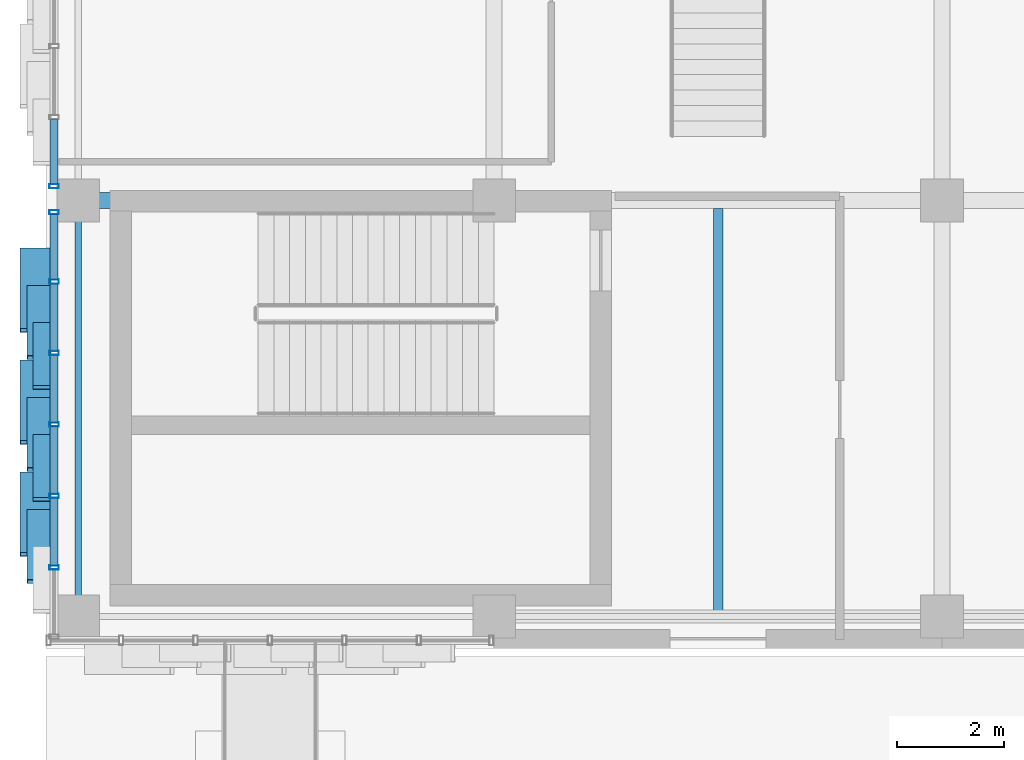
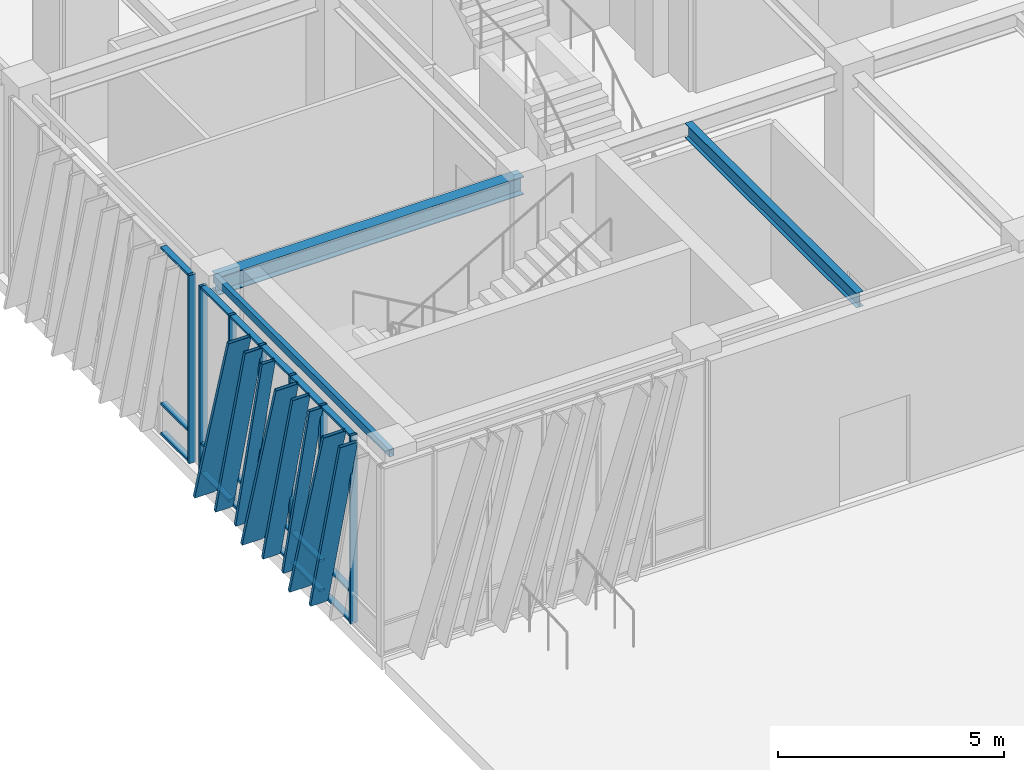
# One storey, part 31 of 122: 33 members, 3 beams, 2 elements without a shape of their own.
"""IFC4 building model written with IfcOpenShell, lengths in metres."""

from ifc_helpers import new_model, si_unit, direction, frame, origin, origin_2d, place, context, subcontext, project, spatial, hollow_rectangle, i_section, extrude, material, layer, layer_set, material_profile, profile_set, type_object, element, aggregate, save


model = new_model("IFC4")

# Units and contexts
model_context = context("Model", 3, precision=1e-05, world=origin(), true_north=direction((0.0, 1.0)))
body_context = subcontext(model_context, "Body", "Model", "MODEL_VIEW")
ifc_project = project(units=[si_unit("LENGTHUNIT", "METRE"), si_unit("AREAUNIT", "SQUARE_METRE"), si_unit("VOLUMEUNIT", "CUBIC_METRE"), si_unit("PLANEANGLEUNIT", "RADIAN"), si_unit("MASSUNIT", "GRAM", prefix="KILO")], contexts=[model_context])

# Site, building, storey
site_placement = place(None, origin())
site = spatial("IfcSite", under=ifc_project, at=site_placement, CompositionType="ELEMENT")
building_placement = place(site_placement, origin())
building = spatial("IfcBuilding", under=site, at=building_placement, Name="Zayran Congress Hotel", CompositionType="ELEMENT")
storey_placement = place(building_placement, origin())
storey = spatial("IfcBuildingStorey", under=building, at=storey_placement, Name="L00", CompositionType="ELEMENT", Elevation=0.0)

# Beams
ifc_material_1 = material(Name="Steel S355", Category="steel")
ifc_material_profile_1 = material_profile(ifc_material_1, i_section(OverallWidth=0.300048828125, OverallDepth=0.489990234375, WebThickness=0.011962890625, FlangeThickness=0.02294921875, at=origin_2d()), Name="HEA 500")
ifc_profile_set_1 = profile_set([ifc_material_profile_1], Name="Steel S355")
beam_type_1 = type_object("IfcBeamType", Name="TP-BM-05", PredefinedType="BEAM", material=ifc_profile_set_1)
beam_1_placement = place(storey_placement, frame((9.0, 76.0, 4.8349609375), z_axis=(1.0, 0.0, 0.0), x_axis=(0.0, 1.0, 0.0)))
element("IfcBeam", 1, at=beam_1_placement, inside=storey, type_object=beam_type_1, Name="BM-V1-L00-0399", PredefinedType="BEAM", context=body_context, shape_type="SweptSolid", body=[
    extrude(i_section(OverallWidth=0.300048828125, OverallDepth=0.489990234375, WebThickness=0.011962890625, FlangeThickness=0.02294921875, at=origin_2d()), origin(), (0.0, 0.0, 1.0), 7.800048828125),
])
ifc_material_profile_2 = material_profile(ifc_material_1, i_section(OverallWidth=0.179931640625, OverallDepth=0.39990234375, WebThickness=0.008544921875, FlangeThickness=0.013427734375, at=origin_2d()), Name="IPE 400")
ifc_profile_set_2 = profile_set([ifc_material_profile_2], Name="Steel S355")
beam_type_2 = type_object("IfcBeamType", Name="TP-JS-03", PredefinedType="JOIST", material=ifc_profile_set_2)
beam_2_placement = place(storey_placement, frame((21.0, 68.260009765625, 4.8798828125), z_axis=(0.0, 1.0, 0.0), x_axis=(-1.0, 0.0, 0.0)))
element("IfcBeam", 2, at=beam_2_placement, inside=storey, type_object=beam_type_2, Name="JST-V1-L00-0493", PredefinedType="JOIST", context=body_context, shape_type="SweptSolid", body=[
    extrude(i_section(OverallWidth=0.179931640625, OverallDepth=0.39990234375, WebThickness=0.008544921875, FlangeThickness=0.013427734375, at=origin_2d()), origin(), (0.0, 0.0, 1.0), 7.590087890625),
])
ifc_material_profile_3 = material_profile(ifc_material_1, hollow_rectangle(XDim=0.1201171875, YDim=0.199951171875, WallThickness=0.008056640625, at=origin_2d()), Name="RHS 200x120x8")
ifc_profile_set_3 = profile_set([ifc_material_profile_3], Name="Steel S355")
beam_type_3 = type_object("IfcBeamType", Name="TP-SP-02", PredefinedType="SPANDREL", material=ifc_profile_set_3)
beam_3_placement = place(storey_placement, frame((9.0, 68.199951171875, 4.97998046875), z_axis=(0.0, 1.0, 0.0), x_axis=(-1.0, 0.0, 0.0)))
element("IfcBeam", 3, at=beam_3_placement, inside=storey, type_object=beam_type_3, Name="BM-V1-L00-0445", PredefinedType="SPANDREL", context=body_context, shape_type="SweptSolid", body=[
    extrude(hollow_rectangle(XDim=0.1201171875, YDim=0.199951171875, WallThickness=0.008056640625, at=origin_2d()), origin(), (0.0, 0.0, 1.0), 7.800048828125),
])

# Curtain wall, members
ifc_material_2 = material(Name="Anodised aluminium and low-E insulated glass", Category="aluminium")
ifc_layer_1 = layer(ifc_material_2, 0.179931640625)
ifc_layer_set_1 = layer_set([ifc_layer_1], Name="Anodised aluminium and low-E insulated glass")
curtain_wall_type_1 = type_object("IfcCurtainWallType", Name="CW-V1W-L00-CW-31-8040-5080", PredefinedType="USERDEFINED", material=ifc_layer_set_1)
curtain_wall_1_placement = place(storey_placement, origin())
curtain_wall_1 = element("IfcCurtainWall", 4, at=curtain_wall_1_placement, inside=storey, type_object=curtain_wall_type_1, Name="CW-V1W-L00-0", ObjectType="CURTAIN WALL", PredefinedType="USERDEFINED")
ifc_material_3 = material(Name="Anodised aluminium framing", Category="aluminium")
ifc_material_profile_4 = material_profile(ifc_material_3, hollow_rectangle(XDim=0.080078125, YDim=0.179931640625, WallThickness=0.0048828125, at=origin_2d()), Name="RHS 180x80x5")
ifc_profile_set_4 = profile_set([ifc_material_profile_4], Name="Anodised aluminium framing")
member_type_1 = type_object("IfcMemberType", Name="TP-CWM-01", PredefinedType="MULLION", material=ifc_profile_set_4)
member_1_placement = place(storey_placement, frame((8.550048828125, 75.780029296875, 0.0), z_axis=(0.0, 0.0, 1.0), x_axis=(0.0, 1.0, 0.0)))
member_1 = element("IfcMember", 5, at=member_1_placement, type_object=member_type_1, Name="CW-V1W-L00-0-M00", PredefinedType="MULLION", context=body_context, shape_type="SweptSolid", body=[
    extrude(hollow_rectangle(XDim=0.080078125, YDim=0.179931640625, WallThickness=0.0048828125, at=origin_2d()), origin(), (0.0, 0.0, 1.0), 5.080078125),
])
member_2_placement = place(storey_placement, frame((8.550048828125, 74.47998046875, 0.0), z_axis=(0.0, 0.0, 1.0), x_axis=(0.0, 1.0, 0.0)))
member_2 = element("IfcMember", 6, at=member_2_placement, type_object=member_type_1, Name="CW-V1W-L00-0-M01", PredefinedType="MULLION", context=body_context, shape_type="SweptSolid", body=[
    extrude(hollow_rectangle(XDim=0.080078125, YDim=0.179931640625, WallThickness=0.0048828125, at=origin_2d()), origin(), (0.0, 0.0, 1.0), 5.080078125),
])
member_3_placement = place(storey_placement, frame((8.550048828125, 73.139892578125, 0.0), z_axis=(0.0, 0.0, 1.0), x_axis=(0.0, 1.0, 0.0)))
member_3 = element("IfcMember", 7, at=member_3_placement, type_object=member_type_1, Name="CW-V1W-L00-0-M02", PredefinedType="MULLION", context=body_context, shape_type="SweptSolid", body=[
    extrude(hollow_rectangle(XDim=0.080078125, YDim=0.179931640625, WallThickness=0.0048828125, at=origin_2d()), origin(), (0.0, 0.0, 1.0), 5.080078125),
])
member_4_placement = place(storey_placement, frame((8.550048828125, 71.800048828125, 0.0), z_axis=(0.0, 0.0, 1.0), x_axis=(0.0, 1.0, 0.0)))
member_4 = element("IfcMember", 8, at=member_4_placement, type_object=member_type_1, Name="CW-V1W-L00-0-M03", PredefinedType="MULLION", context=body_context, shape_type="SweptSolid", body=[
    extrude(hollow_rectangle(XDim=0.080078125, YDim=0.179931640625, WallThickness=0.0048828125, at=origin_2d()), origin(), (0.0, 0.0, 1.0), 5.080078125),
])
member_5_placement = place(storey_placement, frame((8.550048828125, 70.4599609375, 0.0), z_axis=(0.0, 0.0, 1.0), x_axis=(0.0, 1.0, 0.0)))
member_5 = element("IfcMember", 9, at=member_5_placement, type_object=member_type_1, Name="CW-V1W-L00-0-M04", PredefinedType="MULLION", context=body_context, shape_type="SweptSolid", body=[
    extrude(hollow_rectangle(XDim=0.080078125, YDim=0.179931640625, WallThickness=0.0048828125, at=origin_2d()), origin(), (0.0, 0.0, 1.0), 5.080078125),
])
member_6_placement = place(storey_placement, frame((8.550048828125, 69.1201171875, 0.0), z_axis=(0.0, 0.0, 1.0), x_axis=(0.0, 1.0, 0.0)))
member_6 = element("IfcMember", 10, at=member_6_placement, type_object=member_type_1, Name="CW-V1W-L00-0-M05", PredefinedType="MULLION", context=body_context, shape_type="SweptSolid", body=[
    extrude(hollow_rectangle(XDim=0.080078125, YDim=0.179931640625, WallThickness=0.0048828125, at=origin_2d()), origin(), (0.0, 0.0, 1.0), 5.080078125),
])

# Curtain wall, member
ifc_layer_2 = layer(ifc_material_2, 0.179931640625)
ifc_layer_set_2 = layer_set([ifc_layer_2], Name="Anodised aluminium and low-E insulated glass")
curtain_wall_type_2 = type_object("IfcCurtainWallType", Name="CW-V1W-L00-CW-32-7990-5080", PredefinedType="USERDEFINED", material=ifc_layer_set_2)
curtain_wall_2_placement = place(storey_placement, origin())
curtain_wall_2 = element("IfcCurtainWall", 11, at=curtain_wall_2_placement, inside=storey, type_object=curtain_wall_type_2, Name="CW-V1W-L00-1", ObjectType="CURTAIN WALL", PredefinedType="USERDEFINED")
member_7_placement = place(storey_placement, frame((8.550048828125, 76.27001953125, 0.0), z_axis=(0.0, 0.0, 1.0), x_axis=(0.0, 1.0, 0.0)))
member_7 = element("IfcMember", 12, at=member_7_placement, type_object=member_type_1, Name="CW-V1W-L00-1-M06", PredefinedType="MULLION", context=body_context, shape_type="SweptSolid", body=[
    extrude(hollow_rectangle(XDim=0.080078125, YDim=0.179931640625, WallThickness=0.0048828125, at=origin_2d()), origin(), (0.0, 0.0, 1.0), 5.080078125),
])

# Member
ifc_material_profile_5 = material_profile(ifc_material_3, hollow_rectangle(XDim=0.06005859375, YDim=0.14990234375, WallThickness=0.00390625, at=origin_2d()), Name="RHS 150x60x4")
ifc_profile_set_5 = profile_set([ifc_material_profile_5], Name="Anodised aluminium framing")
member_type_2 = type_object("IfcMemberType", Name="TP-CWT-01", PredefinedType="USERDEFINED", material=ifc_profile_set_5)
member_8_placement = place(storey_placement, frame((8.550048828125, 75.739990234375, 0.030029296875), z_axis=(0.0, -1.0, 0.0), x_axis=(0.0, 0.0, 1.0)))
member_8 = element("IfcMember", 13, at=member_8_placement, type_object=member_type_2, Name="CW-V1W-L00-0-T00-0", ObjectType="TRANSOM", PredefinedType="USERDEFINED", context=body_context, shape_type="SweptSolid", body=[
    extrude(hollow_rectangle(XDim=0.06005859375, YDim=0.14990234375, WallThickness=0.00390625, at=origin_2d()), origin(), (0.0, 0.0, 1.0), 1.219970703125),
])

member_9_placement = place(storey_placement, frame((8.550048828125, 75.739990234375, 0.840087890625), z_axis=(0.0, -1.0, 0.0), x_axis=(0.0, 0.0, 1.0)))
member_9 = element("IfcMember", 14, at=member_9_placement, type_object=member_type_2, Name="CW-V1W-L00-0-T00-1", ObjectType="TRANSOM", PredefinedType="USERDEFINED", context=body_context, shape_type="SweptSolid", body=[
    extrude(hollow_rectangle(XDim=0.06005859375, YDim=0.14990234375, WallThickness=0.00390625, at=origin_2d()), origin(), (0.0, 0.0, 1.0), 1.219970703125),
])

member_10_placement = place(storey_placement, frame((8.550048828125, 75.739990234375, 5.050048828125), z_axis=(0.0, -1.0, 0.0), x_axis=(0.0, 0.0, 1.0)))
member_10 = element("IfcMember", 15, at=member_10_placement, type_object=member_type_2, Name="CW-V1W-L00-0-T00-2", ObjectType="TRANSOM", PredefinedType="USERDEFINED", context=body_context, shape_type="SweptSolid", body=[
    extrude(hollow_rectangle(XDim=0.06005859375, YDim=0.14990234375, WallThickness=0.00390625, at=origin_2d()), origin(), (0.0, 0.0, 1.0), 1.219970703125),
])

member_11_placement = place(storey_placement, frame((8.550048828125, 74.43994140625, 0.030029296875), z_axis=(0.0, -1.0, 0.0), x_axis=(0.0, 0.0, 1.0)))
member_11 = element("IfcMember", 16, at=member_11_placement, type_object=member_type_2, Name="CW-V1W-L00-0-T01-0", ObjectType="TRANSOM", PredefinedType="USERDEFINED", context=body_context, shape_type="SweptSolid", body=[
    extrude(hollow_rectangle(XDim=0.06005859375, YDim=0.14990234375, WallThickness=0.00390625, at=origin_2d()), origin(), (0.0, 0.0, 1.0), 1.260009765625),
])

member_12_placement = place(storey_placement, frame((8.550048828125, 74.43994140625, 0.840087890625), z_axis=(0.0, -1.0, 0.0), x_axis=(0.0, 0.0, 1.0)))
member_12 = element("IfcMember", 17, at=member_12_placement, type_object=member_type_2, Name="CW-V1W-L00-0-T01-1", ObjectType="TRANSOM", PredefinedType="USERDEFINED", context=body_context, shape_type="SweptSolid", body=[
    extrude(hollow_rectangle(XDim=0.06005859375, YDim=0.14990234375, WallThickness=0.00390625, at=origin_2d()), origin(), (0.0, 0.0, 1.0), 1.260009765625),
])

member_13_placement = place(storey_placement, frame((8.550048828125, 74.43994140625, 5.050048828125), z_axis=(0.0, -1.0, 0.0), x_axis=(0.0, 0.0, 1.0)))
member_13 = element("IfcMember", 18, at=member_13_placement, type_object=member_type_2, Name="CW-V1W-L00-0-T01-2", ObjectType="TRANSOM", PredefinedType="USERDEFINED", context=body_context, shape_type="SweptSolid", body=[
    extrude(hollow_rectangle(XDim=0.06005859375, YDim=0.14990234375, WallThickness=0.00390625, at=origin_2d()), origin(), (0.0, 0.0, 1.0), 1.260009765625),
])

member_14_placement = place(storey_placement, frame((8.550048828125, 73.10009765625, 0.030029296875), z_axis=(0.0, -1.0, 0.0), x_axis=(0.0, 0.0, 1.0)))
member_14 = element("IfcMember", 19, at=member_14_placement, type_object=member_type_2, Name="CW-V1W-L00-0-T02-0", ObjectType="TRANSOM", PredefinedType="USERDEFINED", context=body_context, shape_type="SweptSolid", body=[
    extrude(hollow_rectangle(XDim=0.06005859375, YDim=0.14990234375, WallThickness=0.00390625, at=origin_2d()), origin(), (0.0, 0.0, 1.0), 1.260009765625),
])

member_15_placement = place(storey_placement, frame((8.550048828125, 73.10009765625, 0.840087890625), z_axis=(0.0, -1.0, 0.0), x_axis=(0.0, 0.0, 1.0)))
member_15 = element("IfcMember", 20, at=member_15_placement, type_object=member_type_2, Name="CW-V1W-L00-0-T02-1", ObjectType="TRANSOM", PredefinedType="USERDEFINED", context=body_context, shape_type="SweptSolid", body=[
    extrude(hollow_rectangle(XDim=0.06005859375, YDim=0.14990234375, WallThickness=0.00390625, at=origin_2d()), origin(), (0.0, 0.0, 1.0), 1.260009765625),
])

member_16_placement = place(storey_placement, frame((8.550048828125, 73.10009765625, 5.050048828125), z_axis=(0.0, -1.0, 0.0), x_axis=(0.0, 0.0, 1.0)))
member_16 = element("IfcMember", 21, at=member_16_placement, type_object=member_type_2, Name="CW-V1W-L00-0-T02-2", ObjectType="TRANSOM", PredefinedType="USERDEFINED", context=body_context, shape_type="SweptSolid", body=[
    extrude(hollow_rectangle(XDim=0.06005859375, YDim=0.14990234375, WallThickness=0.00390625, at=origin_2d()), origin(), (0.0, 0.0, 1.0), 1.260009765625),
])

member_17_placement = place(storey_placement, frame((8.550048828125, 71.760009765625, 0.030029296875), z_axis=(0.0, -1.0, 0.0), x_axis=(0.0, 0.0, 1.0)))
member_17 = element("IfcMember", 22, at=member_17_placement, type_object=member_type_2, Name="CW-V1W-L00-0-T03-0", ObjectType="TRANSOM", PredefinedType="USERDEFINED", context=body_context, shape_type="SweptSolid", body=[
    extrude(hollow_rectangle(XDim=0.06005859375, YDim=0.14990234375, WallThickness=0.00390625, at=origin_2d()), origin(), (0.0, 0.0, 1.0), 1.260009765625),
])

member_18_placement = place(storey_placement, frame((8.550048828125, 71.760009765625, 0.840087890625), z_axis=(0.0, -1.0, 0.0), x_axis=(0.0, 0.0, 1.0)))
member_18 = element("IfcMember", 23, at=member_18_placement, type_object=member_type_2, Name="CW-V1W-L00-0-T03-1", ObjectType="TRANSOM", PredefinedType="USERDEFINED", context=body_context, shape_type="SweptSolid", body=[
    extrude(hollow_rectangle(XDim=0.06005859375, YDim=0.14990234375, WallThickness=0.00390625, at=origin_2d()), origin(), (0.0, 0.0, 1.0), 1.260009765625),
])

member_19_placement = place(storey_placement, frame((8.550048828125, 71.760009765625, 5.050048828125), z_axis=(0.0, -1.0, 0.0), x_axis=(0.0, 0.0, 1.0)))
member_19 = element("IfcMember", 24, at=member_19_placement, type_object=member_type_2, Name="CW-V1W-L00-0-T03-2", ObjectType="TRANSOM", PredefinedType="USERDEFINED", context=body_context, shape_type="SweptSolid", body=[
    extrude(hollow_rectangle(XDim=0.06005859375, YDim=0.14990234375, WallThickness=0.00390625, at=origin_2d()), origin(), (0.0, 0.0, 1.0), 1.260009765625),
])

member_20_placement = place(storey_placement, frame((8.550048828125, 70.419921875, 0.030029296875), z_axis=(0.0, -1.0, 0.0), x_axis=(0.0, 0.0, 1.0)))
member_20 = element("IfcMember", 25, at=member_20_placement, type_object=member_type_2, Name="CW-V1W-L00-0-T04-0", ObjectType="TRANSOM", PredefinedType="USERDEFINED", context=body_context, shape_type="SweptSolid", body=[
    extrude(hollow_rectangle(XDim=0.06005859375, YDim=0.14990234375, WallThickness=0.00390625, at=origin_2d()), origin(), (0.0, 0.0, 1.0), 1.260009765625),
])

member_21_placement = place(storey_placement, frame((8.550048828125, 70.419921875, 0.840087890625), z_axis=(0.0, -1.0, 0.0), x_axis=(0.0, 0.0, 1.0)))
member_21 = element("IfcMember", 26, at=member_21_placement, type_object=member_type_2, Name="CW-V1W-L00-0-T04-1", ObjectType="TRANSOM", PredefinedType="USERDEFINED", context=body_context, shape_type="SweptSolid", body=[
    extrude(hollow_rectangle(XDim=0.06005859375, YDim=0.14990234375, WallThickness=0.00390625, at=origin_2d()), origin(), (0.0, 0.0, 1.0), 1.260009765625),
])

member_22_placement = place(storey_placement, frame((8.550048828125, 70.419921875, 5.050048828125), z_axis=(0.0, -1.0, 0.0), x_axis=(0.0, 0.0, 1.0)))
member_22 = element("IfcMember", 27, at=member_22_placement, type_object=member_type_2, Name="CW-V1W-L00-0-T04-2", ObjectType="TRANSOM", PredefinedType="USERDEFINED", context=body_context, shape_type="SweptSolid", body=[
    extrude(hollow_rectangle(XDim=0.06005859375, YDim=0.14990234375, WallThickness=0.00390625, at=origin_2d()), origin(), (0.0, 0.0, 1.0), 1.260009765625),
])

member_23_placement = place(storey_placement, frame((8.550048828125, 77.521728515625, 0.030029296875), z_axis=(0.0, -1.0, 0.0), x_axis=(0.0, 0.0, 1.0)))
member_23 = element("IfcMember", 28, at=member_23_placement, type_object=member_type_2, Name="CW-V1W-L00-1-T05-0", ObjectType="TRANSOM", PredefinedType="USERDEFINED", context=body_context, shape_type="SweptSolid", body=[
    extrude(hollow_rectangle(XDim=0.06005859375, YDim=0.14990234375, WallThickness=0.00390625, at=origin_2d()), origin(), (0.0, 0.0, 1.0), 1.211669921875),
])

member_24_placement = place(storey_placement, frame((8.550048828125, 77.521728515625, 0.840087890625), z_axis=(0.0, -1.0, 0.0), x_axis=(0.0, 0.0, 1.0)))
member_24 = element("IfcMember", 29, at=member_24_placement, type_object=member_type_2, Name="CW-V1W-L00-1-T05-1", ObjectType="TRANSOM", PredefinedType="USERDEFINED", context=body_context, shape_type="SweptSolid", body=[
    extrude(hollow_rectangle(XDim=0.06005859375, YDim=0.14990234375, WallThickness=0.00390625, at=origin_2d()), origin(), (0.0, 0.0, 1.0), 1.211669921875),
])

member_25_placement = place(storey_placement, frame((8.550048828125, 77.521728515625, 5.050048828125), z_axis=(0.0, -1.0, 0.0), x_axis=(0.0, 0.0, 1.0)))
member_25 = element("IfcMember", 30, at=member_25_placement, type_object=member_type_2, Name="CW-V1W-L00-1-T05-2", ObjectType="TRANSOM", PredefinedType="USERDEFINED", context=body_context, shape_type="SweptSolid", body=[
    extrude(hollow_rectangle(XDim=0.06005859375, YDim=0.14990234375, WallThickness=0.00390625, at=origin_2d()), origin(), (0.0, 0.0, 1.0), 1.211669921875),
])

aggregate(curtain_wall_2, [member_7, member_23, member_24, member_25])

ifc_material_4 = material(Name="Warm bronze anodised aluminium", Category="aluminium")
ifc_material_profile_6 = material_profile(ifc_material_4, hollow_rectangle(XDim=0.080078125, YDim=0.580078125, WallThickness=0.006103515625, at=origin_2d()), Name="RHS 580x80x6")
ifc_profile_set_6 = profile_set([ifc_material_profile_6], Name="Warm bronze anodised aluminium")
member_type_3 = type_object("IfcMemberType", Name="TP-RFN-01", PredefinedType="MULLION", material=ifc_profile_set_6)
member_26_placement = place(storey_placement, frame((8.199951171875, 75.070068359375, 0.0), z_axis=(0.0, -0.284031848834, 0.958814845968), x_axis=(0.0, 0.958814845968, 0.284031848834)))
member_26 = element("IfcMember", 31, at=member_26_placement, type_object=member_type_3, Name="Slanting Reed Mullion CW-31-01", PredefinedType="MULLION", context=body_context, shape_type="SweptSolid", body=[
    extrude(hollow_rectangle(XDim=0.080078125, YDim=0.580078125, WallThickness=0.006103515625, at=origin_2d()), origin(), (0.0, 0.0, 1.0), 5.29833984375),
])

member_27_placement = place(storey_placement, frame((8.199951171875, 72.969970703125, 0.0), z_axis=(0.0, -0.284031848834, 0.958814845968), x_axis=(0.0, 0.958814845968, 0.284031848834)))
member_27 = element("IfcMember", 32, at=member_27_placement, type_object=member_type_3, Name="Slanting Reed Mullion CW-31-04", PredefinedType="MULLION", context=body_context, shape_type="SweptSolid", body=[
    extrude(hollow_rectangle(XDim=0.080078125, YDim=0.580078125, WallThickness=0.006103515625, at=origin_2d()), origin(), (0.0, 0.0, 1.0), 5.29833984375),
])

member_28_placement = place(storey_placement, frame((8.199951171875, 70.8701171875, 0.0), z_axis=(0.0, -0.284031848834, 0.958814845968), x_axis=(0.0, 0.958814845968, 0.284031848834)))
member_28 = element("IfcMember", 33, at=member_28_placement, type_object=member_type_3, Name="Slanting Reed Mullion CW-31-07", PredefinedType="MULLION", context=body_context, shape_type="SweptSolid", body=[
    extrude(hollow_rectangle(XDim=0.080078125, YDim=0.580078125, WallThickness=0.006103515625, at=origin_2d()), origin(), (0.0, 0.0, 1.0), 5.29833984375),
])

ifc_material_profile_7 = material_profile(ifc_material_4, hollow_rectangle(XDim=0.080078125, YDim=0.449951171875, WallThickness=0.006103515625, at=origin_2d()), Name="RHS 450x80x6")
ifc_profile_set_7 = profile_set([ifc_material_profile_7], Name="Warm bronze anodised aluminium")
member_type_4 = type_object("IfcMemberType", Name="TP-RFN-02", PredefinedType="MULLION", material=ifc_profile_set_7)
member_29_placement = place(storey_placement, frame((8.264892578125, 74.3701171875, 0.0), z_axis=(0.0, -0.25040989041, 0.968139910749), x_axis=(0.0, 0.968139910749, 0.25040989041)))
member_29 = element("IfcMember", 34, at=member_29_placement, type_object=member_type_4, Name="Slanting Reed Mullion CW-31-02", PredefinedType="MULLION", context=body_context, shape_type="SweptSolid", body=[
    extrude(hollow_rectangle(XDim=0.080078125, YDim=0.449951171875, WallThickness=0.006103515625, at=origin_2d()), origin(), (0.0, 0.0, 1.0), 5.247314453125),
])

member_30_placement = place(storey_placement, frame((8.264892578125, 72.27001953125, 0.0), z_axis=(0.0, -0.250366279854, 0.968151189594), x_axis=(0.0, 0.968151189594, 0.250366279854)))
member_30 = element("IfcMember", 35, at=member_30_placement, type_object=member_type_4, Name="Slanting Reed Mullion CW-31-05", PredefinedType="MULLION", context=body_context, shape_type="SweptSolid", body=[
    extrude(hollow_rectangle(XDim=0.080078125, YDim=0.449951171875, WallThickness=0.006103515625, at=origin_2d()), origin(), (0.0, 0.0, 1.0), 5.247314453125),
])

member_31_placement = place(storey_placement, frame((8.264892578125, 70.169921875, 0.0), z_axis=(0.0, -0.250366279854, 0.968151189594), x_axis=(0.0, 0.968151189594, 0.250366279854)))
member_31 = element("IfcMember", 36, at=member_31_placement, type_object=member_type_4, Name="Slanting Reed Mullion CW-31-08", PredefinedType="MULLION", context=body_context, shape_type="SweptSolid", body=[
    extrude(hollow_rectangle(XDim=0.080078125, YDim=0.449951171875, WallThickness=0.006103515625, at=origin_2d()), origin(), (0.0, 0.0, 1.0), 5.247314453125),
])

ifc_material_profile_8 = material_profile(ifc_material_4, hollow_rectangle(XDim=0.080078125, YDim=0.340087890625, WallThickness=0.006103515625, at=origin_2d()), Name="RHS 340x80x6")
ifc_profile_set_8 = profile_set([ifc_material_profile_8], Name="Warm bronze anodised aluminium")
member_type_5 = type_object("IfcMemberType", Name="TP-RFN-03", PredefinedType="MULLION", material=ifc_profile_set_8)
member_32_placement = place(storey_placement, frame((8.320068359375, 73.669921875, 0.0), z_axis=(0.0, -0.224910805794, 0.97437935602), x_axis=(0.0, 0.97437935602, 0.224910805794)))
member_32 = element("IfcMember", 37, at=member_32_placement, type_object=member_type_5, Name="Slanting Reed Mullion CW-31-03", PredefinedType="MULLION", context=body_context, shape_type="SweptSolid", body=[
    extrude(hollow_rectangle(XDim=0.080078125, YDim=0.340087890625, WallThickness=0.006103515625, at=origin_2d()), origin(), (0.0, 0.0, 1.0), 5.213623046875),
])

member_33_placement = place(storey_placement, frame((8.320068359375, 71.570068359375, 0.0), z_axis=(0.0, -0.224955263497, 0.974369093016), x_axis=(0.0, 0.974369093016, 0.224955263497)))
member_33 = element("IfcMember", 38, at=member_33_placement, type_object=member_type_5, Name="Slanting Reed Mullion CW-31-06", PredefinedType="MULLION", context=body_context, shape_type="SweptSolid", body=[
    extrude(hollow_rectangle(XDim=0.080078125, YDim=0.340087890625, WallThickness=0.006103515625, at=origin_2d()), origin(), (0.0, 0.0, 1.0), 5.213623046875),
])

aggregate(curtain_wall_1, [member_1, member_2, member_3, member_4, member_5, member_6, member_8, member_9, member_10, member_11, member_12, member_13, member_14, member_15, member_16, member_17, member_18, member_19, member_20, member_21, member_22, member_26, member_29, member_32, member_27, member_30, member_33, member_28, member_31])

save(model, "model.ifc")
